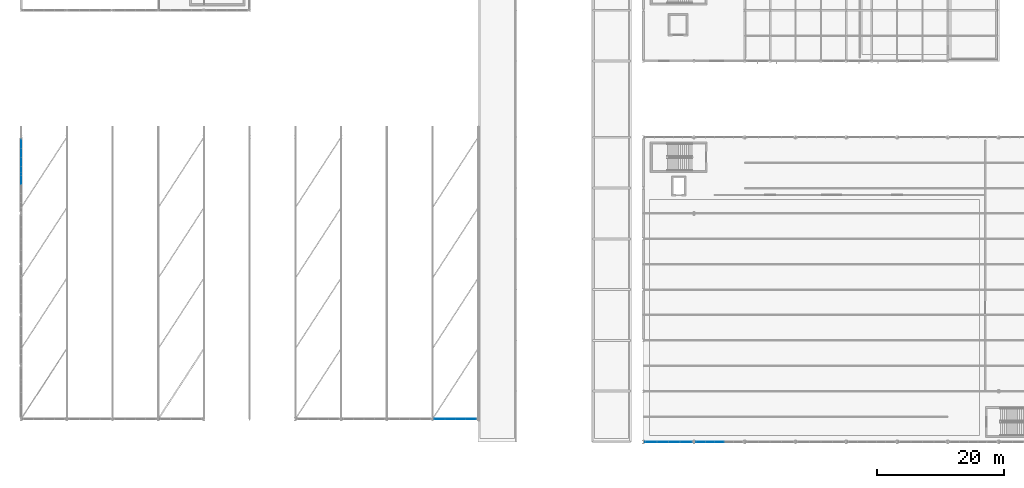
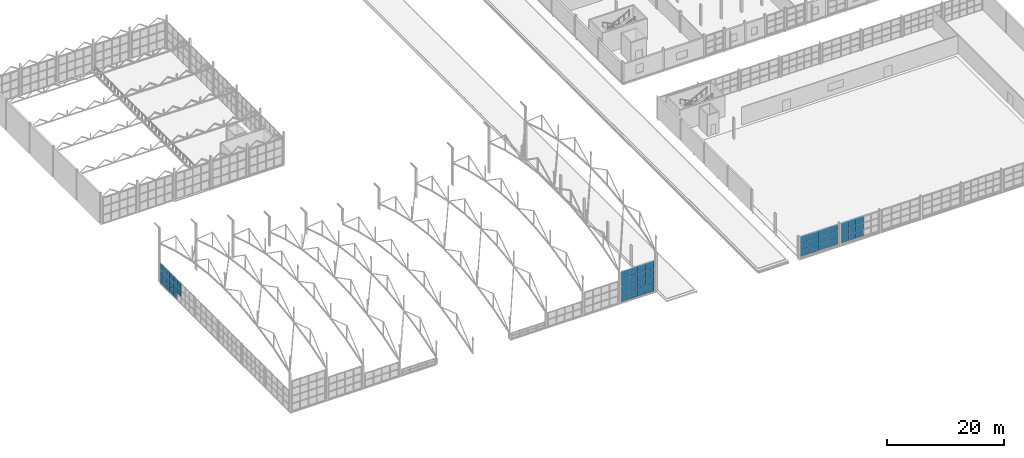
# One storey, part 122 of 153: 51 plates, 4 elements without a shape of their own.
"""IFC4 building model written with IfcOpenShell, lengths in metres."""

from ifc_helpers import new_model, si_unit, derived_unit, direction, frame, origin, origin_2d, place, context, subcontext, project, spatial, rectangle, extrude, material, layer, layer_set, type_object, element, aggregate, save


model = new_model("IFC4")

# Units and contexts
model_context = context("Model", 3, precision=1e-05, world=origin(), true_north=direction((0.0, 1.0)))
body_context = subcontext(model_context, "Body", "Model", "MODEL_VIEW")
ifc_project = project(units=[si_unit("LENGTHUNIT", "METRE"), si_unit("AREAUNIT", "SQUARE_METRE"), si_unit("VOLUMEUNIT", "CUBIC_METRE"), si_unit("PLANEANGLEUNIT", "RADIAN"), si_unit("MASSUNIT", "GRAM", prefix="KILO"), derived_unit("THERMALTRANSMITTANCEUNIT", [(si_unit("POWERUNIT", "WATT"), 1), (si_unit("LENGTHUNIT", "METRE"), -2), (si_unit("THERMODYNAMICTEMPERATUREUNIT", "KELVIN"), -1)])], contexts=[model_context])

# Site, building, storey
site_placement = place(None, origin())
site = spatial("IfcSite", under=ifc_project, at=site_placement, CompositionType="ELEMENT")
building_placement = place(site_placement, origin())
building = spatial("IfcBuilding", under=site, at=building_placement, Name="Keldorne Ridge Multi-Sports Centre", CompositionType="ELEMENT")
storey_placement = place(building_placement, frame((0.0, 0.0, 9.60009765625)))
storey = spatial("IfcBuildingStorey", under=building, at=storey_placement, Name="L02", CompositionType="ELEMENT", Elevation=9.60009765625)

# Curtain wall, plates
ifc_material_1 = material(Name="Anodized aluminium", Category="aluminium")
curtain_wall_type_1 = type_object("IfcCurtainWallType", Name="CW-CW-03", PredefinedType="NOTDEFINED", material=ifc_material_1)
curtain_wall_1_placement = place(storey_placement, origin())
curtain_wall_1 = element("IfcCurtainWall", 1, at=curtain_wall_1_placement, inside=storey, type_object=curtain_wall_type_1, Name="Main Hall south high clerestory 027", PredefinedType="NOTDEFINED")
ifc_material_2 = material(Name="Double low-e insulated glazing", Category="glass")
ifc_layer = layer(ifc_material_2, 0.035888671875)
ifc_layer_set = layer_set([ifc_layer])
plate_type = type_object("IfcPlateType", Name="PLT-GL-01", PredefinedType="CURTAIN_PANEL", material=ifc_layer_set)
plate_1_placement = place(storey_placement, frame((71.955078125, 9.60009765625, 0.02001953125), z_axis=(0.0, 0.0, 1.0), x_axis=(1.0, 0.0, 0.0)))
plate_1 = element("IfcPlate", 2, at=plate_1_placement, type_object=plate_type, Name="CW-027 glazed panel 1.1", PredefinedType="CURTAIN_PANEL", context=body_context, shape_type="SweptSolid", body=[
    extrude(rectangle(XDim=1.590087890625, YDim=0.035888671875, at=origin_2d()), origin(), (0.0, 0.0, 1.0), 1.530029296875),
])
plate_2_placement = place(storey_placement, frame((71.955078125, 9.60009765625, 1.58984375), z_axis=(0.0, 0.0, 1.0), x_axis=(1.0, 0.0, 0.0)))
plate_2 = element("IfcPlate", 3, at=plate_2_placement, type_object=plate_type, Name="CW-027 glazed panel 1.2", PredefinedType="CURTAIN_PANEL", context=body_context, shape_type="SweptSolid", body=[
    extrude(rectangle(XDim=1.590087890625, YDim=0.035888671875, at=origin_2d()), origin(), (0.0, 0.0, 1.0), 1.530029296875),
])
plate_3_placement = place(storey_placement, frame((71.955078125, 9.60009765625, 3.15966796875), z_axis=(0.0, 0.0, 1.0), x_axis=(1.0, 0.0, 0.0)))
plate_3 = element("IfcPlate", 4, at=plate_3_placement, type_object=plate_type, Name="CW-027 glazed panel 1.3", PredefinedType="CURTAIN_PANEL", context=body_context, shape_type="SweptSolid", body=[
    extrude(rectangle(XDim=1.590087890625, YDim=0.035888671875, at=origin_2d()), origin(), (0.0, 0.0, 1.0), 1.530029296875),
])
plate_4_placement = place(storey_placement, frame((71.955078125, 9.60009765625, 4.72998046875), z_axis=(0.0, 0.0, 1.0), x_axis=(1.0, 0.0, 0.0)))
plate_4 = element("IfcPlate", 5, at=plate_4_placement, type_object=plate_type, Name="CW-027 glazed panel 1.4", PredefinedType="CURTAIN_PANEL", context=body_context, shape_type="SweptSolid", body=[
    extrude(rectangle(XDim=1.590087890625, YDim=0.035888671875, at=origin_2d()), origin(), (0.0, 0.0, 1.0), 1.530029296875),
])
plate_5_placement = place(storey_placement, frame((73.5849609375, 9.60009765625, 0.02001953125), z_axis=(0.0, 0.0, 1.0), x_axis=(1.0, 0.0, 0.0)))
plate_5 = element("IfcPlate", 6, at=plate_5_placement, type_object=plate_type, Name="CW-027 glazed panel 2.1", PredefinedType="CURTAIN_PANEL", context=body_context, shape_type="SweptSolid", body=[
    extrude(rectangle(XDim=1.590087890625, YDim=0.035888671875, at=origin_2d()), origin(), (0.0, 0.0, 1.0), 1.530029296875),
])
plate_6_placement = place(storey_placement, frame((73.5849609375, 9.60009765625, 1.58984375), z_axis=(0.0, 0.0, 1.0), x_axis=(1.0, 0.0, 0.0)))
plate_6 = element("IfcPlate", 7, at=plate_6_placement, type_object=plate_type, Name="CW-027 glazed panel 2.2", PredefinedType="CURTAIN_PANEL", context=body_context, shape_type="SweptSolid", body=[
    extrude(rectangle(XDim=1.590087890625, YDim=0.035888671875, at=origin_2d()), origin(), (0.0, 0.0, 1.0), 1.530029296875),
])
plate_7_placement = place(storey_placement, frame((73.5849609375, 9.60009765625, 3.15966796875), z_axis=(0.0, 0.0, 1.0), x_axis=(1.0, 0.0, 0.0)))
plate_7 = element("IfcPlate", 8, at=plate_7_placement, type_object=plate_type, Name="CW-027 glazed panel 2.3", PredefinedType="CURTAIN_PANEL", context=body_context, shape_type="SweptSolid", body=[
    extrude(rectangle(XDim=1.590087890625, YDim=0.035888671875, at=origin_2d()), origin(), (0.0, 0.0, 1.0), 1.530029296875),
])
plate_8_placement = place(storey_placement, frame((73.5849609375, 9.60009765625, 4.72998046875), z_axis=(0.0, 0.0, 1.0), x_axis=(1.0, 0.0, 0.0)))
plate_8 = element("IfcPlate", 9, at=plate_8_placement, type_object=plate_type, Name="CW-027 glazed panel 2.4", PredefinedType="CURTAIN_PANEL", context=body_context, shape_type="SweptSolid", body=[
    extrude(rectangle(XDim=1.590087890625, YDim=0.035888671875, at=origin_2d()), origin(), (0.0, 0.0, 1.0), 1.530029296875),
])
plate_9_placement = place(storey_placement, frame((75.215087890625, 9.60009765625, 0.02001953125), z_axis=(0.0, 0.0, 1.0), x_axis=(1.0, 0.0, 0.0)))
plate_9 = element("IfcPlate", 10, at=plate_9_placement, type_object=plate_type, Name="CW-027 glazed panel 3.1", PredefinedType="CURTAIN_PANEL", context=body_context, shape_type="SweptSolid", body=[
    extrude(rectangle(XDim=1.590087890625, YDim=0.035888671875, at=origin_2d()), origin(), (0.0, 0.0, 1.0), 1.530029296875),
])
plate_10_placement = place(storey_placement, frame((75.215087890625, 9.60009765625, 1.58984375), z_axis=(0.0, 0.0, 1.0), x_axis=(1.0, 0.0, 0.0)))
plate_10 = element("IfcPlate", 11, at=plate_10_placement, type_object=plate_type, Name="CW-027 glazed panel 3.2", PredefinedType="CURTAIN_PANEL", context=body_context, shape_type="SweptSolid", body=[
    extrude(rectangle(XDim=1.590087890625, YDim=0.035888671875, at=origin_2d()), origin(), (0.0, 0.0, 1.0), 1.530029296875),
])
plate_11_placement = place(storey_placement, frame((75.215087890625, 9.60009765625, 3.15966796875), z_axis=(0.0, 0.0, 1.0), x_axis=(1.0, 0.0, 0.0)))
plate_11 = element("IfcPlate", 12, at=plate_11_placement, type_object=plate_type, Name="CW-027 glazed panel 3.3", PredefinedType="CURTAIN_PANEL", context=body_context, shape_type="SweptSolid", body=[
    extrude(rectangle(XDim=1.590087890625, YDim=0.035888671875, at=origin_2d()), origin(), (0.0, 0.0, 1.0), 1.530029296875),
])
plate_12_placement = place(storey_placement, frame((75.215087890625, 9.60009765625, 4.72998046875), z_axis=(0.0, 0.0, 1.0), x_axis=(1.0, 0.0, 0.0)))
plate_12 = element("IfcPlate", 13, at=plate_12_placement, type_object=plate_type, Name="CW-027 glazed panel 3.4", PredefinedType="CURTAIN_PANEL", context=body_context, shape_type="SweptSolid", body=[
    extrude(rectangle(XDim=1.590087890625, YDim=0.035888671875, at=origin_2d()), origin(), (0.0, 0.0, 1.0), 1.530029296875),
])
plate_13_placement = place(storey_placement, frame((76.844970703125, 9.60009765625, 0.02001953125), z_axis=(0.0, 0.0, 1.0), x_axis=(1.0, 0.0, 0.0)))
plate_13 = element("IfcPlate", 14, at=plate_13_placement, type_object=plate_type, Name="CW-027 glazed panel 4.1", PredefinedType="CURTAIN_PANEL", context=body_context, shape_type="SweptSolid", body=[
    extrude(rectangle(XDim=1.590087890625, YDim=0.035888671875, at=origin_2d()), origin(), (0.0, 0.0, 1.0), 1.530029296875),
])
plate_14_placement = place(storey_placement, frame((76.844970703125, 9.60009765625, 1.58984375), z_axis=(0.0, 0.0, 1.0), x_axis=(1.0, 0.0, 0.0)))
plate_14 = element("IfcPlate", 15, at=plate_14_placement, type_object=plate_type, Name="CW-027 glazed panel 4.2", PredefinedType="CURTAIN_PANEL", context=body_context, shape_type="SweptSolid", body=[
    extrude(rectangle(XDim=1.590087890625, YDim=0.035888671875, at=origin_2d()), origin(), (0.0, 0.0, 1.0), 1.530029296875),
])
plate_15_placement = place(storey_placement, frame((76.844970703125, 9.60009765625, 3.15966796875), z_axis=(0.0, 0.0, 1.0), x_axis=(1.0, 0.0, 0.0)))
plate_15 = element("IfcPlate", 16, at=plate_15_placement, type_object=plate_type, Name="CW-027 glazed panel 4.3", PredefinedType="CURTAIN_PANEL", context=body_context, shape_type="SweptSolid", body=[
    extrude(rectangle(XDim=1.590087890625, YDim=0.035888671875, at=origin_2d()), origin(), (0.0, 0.0, 1.0), 1.530029296875),
])
plate_16_placement = place(storey_placement, frame((76.844970703125, 9.60009765625, 4.72998046875), z_axis=(0.0, 0.0, 1.0), x_axis=(1.0, 0.0, 0.0)))
plate_16 = element("IfcPlate", 17, at=plate_16_placement, type_object=plate_type, Name="CW-027 glazed panel 4.4", PredefinedType="CURTAIN_PANEL", context=body_context, shape_type="SweptSolid", body=[
    extrude(rectangle(XDim=1.590087890625, YDim=0.035888671875, at=origin_2d()), origin(), (0.0, 0.0, 1.0), 1.530029296875),
])
aggregate(curtain_wall_1, [plate_1, plate_2, plate_3, plate_4, plate_5, plate_6, plate_7, plate_8, plate_9, plate_10, plate_11, plate_12, plate_13, plate_14, plate_15, plate_16])

curtain_wall_type_2 = type_object("IfcCurtainWallType", Name="CW-CW-01", PredefinedType="NOTDEFINED", material=ifc_material_1)
curtain_wall_2_placement = place(storey_placement, origin())
curtain_wall_2 = element("IfcCurtainWall", 18, at=curtain_wall_2_placement, inside=storey, type_object=curtain_wall_type_2, Name="Main Hall west high gable glazing 033", PredefinedType="NOTDEFINED")
plate_17_placement = place(storey_placement, frame((6.0, 52.952392578125, 0.02001953125), z_axis=(0.0, 0.0, 1.0), x_axis=(0.0, -1.0, 0.0)))
plate_17 = element("IfcPlate", 19, at=plate_17_placement, type_object=plate_type, Name="CW-033 glazed panel 1.1", PredefinedType="CURTAIN_PANEL", context=body_context, shape_type="SweptSolid", body=[
    extrude(rectangle(XDim=1.375, YDim=0.035888671875, at=origin_2d()), origin(), (0.0, 0.0, 1.0), 1.360107421875),
])
plate_18_placement = place(storey_placement, frame((6.0, 52.952392578125, 1.419921875), z_axis=(0.0, 0.0, 1.0), x_axis=(0.0, -1.0, 0.0)))
plate_18 = element("IfcPlate", 20, at=plate_18_placement, type_object=plate_type, Name="CW-033 glazed panel 1.2", PredefinedType="CURTAIN_PANEL", context=body_context, shape_type="SweptSolid", body=[
    extrude(rectangle(XDim=1.375, YDim=0.035888671875, at=origin_2d()), origin(), (0.0, 0.0, 1.0), 1.360107421875),
])
plate_19_placement = place(storey_placement, frame((6.0, 52.952392578125, 2.81982421875), z_axis=(0.0, 0.0, 1.0), x_axis=(0.0, -1.0, 0.0)))
plate_19 = element("IfcPlate", 21, at=plate_19_placement, type_object=plate_type, Name="CW-033 glazed panel 1.3", PredefinedType="CURTAIN_PANEL", context=body_context, shape_type="SweptSolid", body=[
    extrude(rectangle(XDim=1.375, YDim=0.035888671875, at=origin_2d()), origin(), (0.0, 0.0, 1.0), 1.360107421875),
])
plate_20_placement = place(storey_placement, frame((6.0, 51.53759765625, 0.02001953125), z_axis=(0.0, 0.0, 1.0), x_axis=(0.0, -1.0, 0.0)))
plate_20 = element("IfcPlate", 22, at=plate_20_placement, type_object=plate_type, Name="CW-033 glazed panel 2.1", PredefinedType="CURTAIN_PANEL", context=body_context, shape_type="SweptSolid", body=[
    extrude(rectangle(XDim=1.375, YDim=0.035888671875, at=origin_2d()), origin(), (0.0, 0.0, 1.0), 1.360107421875),
])
plate_21_placement = place(storey_placement, frame((6.0, 51.53759765625, 1.419921875), z_axis=(0.0, 0.0, 1.0), x_axis=(0.0, -1.0, 0.0)))
plate_21 = element("IfcPlate", 23, at=plate_21_placement, type_object=plate_type, Name="CW-033 glazed panel 2.2", PredefinedType="CURTAIN_PANEL", context=body_context, shape_type="SweptSolid", body=[
    extrude(rectangle(XDim=1.375, YDim=0.035888671875, at=origin_2d()), origin(), (0.0, 0.0, 1.0), 1.360107421875),
])
plate_22_placement = place(storey_placement, frame((6.0, 51.53759765625, 2.81982421875), z_axis=(0.0, 0.0, 1.0), x_axis=(0.0, -1.0, 0.0)))
plate_22 = element("IfcPlate", 24, at=plate_22_placement, type_object=plate_type, Name="CW-033 glazed panel 2.3", PredefinedType="CURTAIN_PANEL", context=body_context, shape_type="SweptSolid", body=[
    extrude(rectangle(XDim=1.375, YDim=0.035888671875, at=origin_2d()), origin(), (0.0, 0.0, 1.0), 1.360107421875),
])
plate_23_placement = place(storey_placement, frame((6.0, 50.12255859375, 0.02001953125), z_axis=(0.0, 0.0, 1.0), x_axis=(0.0, -1.0, 0.0)))
plate_23 = element("IfcPlate", 25, at=plate_23_placement, type_object=plate_type, Name="CW-033 glazed panel 3.1", PredefinedType="CURTAIN_PANEL", context=body_context, shape_type="SweptSolid", body=[
    extrude(rectangle(XDim=1.375, YDim=0.035888671875, at=origin_2d()), origin(), (0.0, 0.0, 1.0), 1.360107421875),
])
plate_24_placement = place(storey_placement, frame((6.0, 50.12255859375, 1.419921875), z_axis=(0.0, 0.0, 1.0), x_axis=(0.0, -1.0, 0.0)))
plate_24 = element("IfcPlate", 26, at=plate_24_placement, type_object=plate_type, Name="CW-033 glazed panel 3.2", PredefinedType="CURTAIN_PANEL", context=body_context, shape_type="SweptSolid", body=[
    extrude(rectangle(XDim=1.375, YDim=0.035888671875, at=origin_2d()), origin(), (0.0, 0.0, 1.0), 1.360107421875),
])
plate_25_placement = place(storey_placement, frame((6.0, 50.12255859375, 2.81982421875), z_axis=(0.0, 0.0, 1.0), x_axis=(0.0, -1.0, 0.0)))
plate_25 = element("IfcPlate", 27, at=plate_25_placement, type_object=plate_type, Name="CW-033 glazed panel 3.3", PredefinedType="CURTAIN_PANEL", context=body_context, shape_type="SweptSolid", body=[
    extrude(rectangle(XDim=1.375, YDim=0.035888671875, at=origin_2d()), origin(), (0.0, 0.0, 1.0), 1.360107421875),
])
plate_26_placement = place(storey_placement, frame((6.0, 48.70751953125, 0.02001953125), z_axis=(0.0, 0.0, 1.0), x_axis=(0.0, -1.0, 0.0)))
plate_26 = element("IfcPlate", 28, at=plate_26_placement, type_object=plate_type, Name="CW-033 glazed panel 4.1", PredefinedType="CURTAIN_PANEL", context=body_context, shape_type="SweptSolid", body=[
    extrude(rectangle(XDim=1.375, YDim=0.035888671875, at=origin_2d()), origin(), (0.0, 0.0, 1.0), 1.360107421875),
])
plate_27_placement = place(storey_placement, frame((6.0, 48.70751953125, 1.419921875), z_axis=(0.0, 0.0, 1.0), x_axis=(0.0, -1.0, 0.0)))
plate_27 = element("IfcPlate", 29, at=plate_27_placement, type_object=plate_type, Name="CW-033 glazed panel 4.2", PredefinedType="CURTAIN_PANEL", context=body_context, shape_type="SweptSolid", body=[
    extrude(rectangle(XDim=1.375, YDim=0.035888671875, at=origin_2d()), origin(), (0.0, 0.0, 1.0), 1.360107421875),
])
plate_28_placement = place(storey_placement, frame((6.0, 48.70751953125, 2.81982421875), z_axis=(0.0, 0.0, 1.0), x_axis=(0.0, -1.0, 0.0)))
plate_28 = element("IfcPlate", 30, at=plate_28_placement, type_object=plate_type, Name="CW-033 glazed panel 4.3", PredefinedType="CURTAIN_PANEL", context=body_context, shape_type="SweptSolid", body=[
    extrude(rectangle(XDim=1.375, YDim=0.035888671875, at=origin_2d()), origin(), (0.0, 0.0, 1.0), 1.360107421875),
])
plate_29_placement = place(storey_placement, frame((6.0, 47.29248046875, 1.419921875), z_axis=(0.0, 0.0, 1.0), x_axis=(0.0, -1.0, 0.0)))
plate_29 = element("IfcPlate", 31, at=plate_29_placement, type_object=plate_type, Name="CW-033 glazed panel 5.2", PredefinedType="CURTAIN_PANEL", context=body_context, shape_type="SweptSolid", body=[
    extrude(rectangle(XDim=1.375, YDim=0.035888671875, at=origin_2d()), origin(), (0.0, 0.0, 1.0), 1.360107421875),
])
plate_30_placement = place(storey_placement, frame((6.0, 47.29248046875, 2.81982421875), z_axis=(0.0, 0.0, 1.0), x_axis=(0.0, -1.0, 0.0)))
plate_30 = element("IfcPlate", 32, at=plate_30_placement, type_object=plate_type, Name="CW-033 glazed panel 5.3", PredefinedType="CURTAIN_PANEL", context=body_context, shape_type="SweptSolid", body=[
    extrude(rectangle(XDim=1.375, YDim=0.035888671875, at=origin_2d()), origin(), (0.0, 0.0, 1.0), 1.360107421875),
])
aggregate(curtain_wall_2, [plate_17, plate_18, plate_19, plate_20, plate_21, plate_22, plate_23, plate_24, plate_25, plate_26, plate_27, plate_28, plate_29, plate_30])

curtain_wall_type_3 = type_object("IfcCurtainWallType", Name="CW-CW-08", PredefinedType="NOTDEFINED", material=ifc_material_1)
curtain_wall_3_placement = place(storey_placement, origin())
curtain_wall_3 = element("IfcCurtainWall", 33, at=curtain_wall_3_placement, inside=storey, type_object=curtain_wall_type_3, Name="Upper Courts south curtain wall 088", PredefinedType="NOTDEFINED")
plate_31_placement = place(storey_placement, frame((105.2548828125, 6.0, 0.019775390625), z_axis=(0.0, 0.0, 1.0), x_axis=(1.0, 0.0, 0.0)))
plate_31 = element("IfcPlate", 34, at=plate_31_placement, type_object=plate_type, Name="CW-088 glazed panel 1.1", PredefinedType="CURTAIN_PANEL", context=body_context, shape_type="SweptSolid", body=[
    extrude(rectangle(XDim=1.7900390625, YDim=0.035888671875, at=origin_2d()), origin(), (0.0, 0.0, 1.0), 1.32666015625),
])
plate_32_placement = place(storey_placement, frame((105.2548828125, 6.0, 1.386474609375), z_axis=(0.0, 0.0, 1.0), x_axis=(1.0, 0.0, 0.0)))
plate_32 = element("IfcPlate", 35, at=plate_32_placement, type_object=plate_type, Name="CW-088 glazed panel 1.2", PredefinedType="CURTAIN_PANEL", context=body_context, shape_type="SweptSolid", body=[
    extrude(rectangle(XDim=1.7900390625, YDim=0.035888671875, at=origin_2d()), origin(), (0.0, 0.0, 1.0), 1.32666015625),
])
plate_33_placement = place(storey_placement, frame((105.2548828125, 6.0, 2.753173828125), z_axis=(0.0, 0.0, 1.0), x_axis=(1.0, 0.0, 0.0)))
plate_33 = element("IfcPlate", 36, at=plate_33_placement, type_object=plate_type, Name="CW-088 glazed panel 1.3", PredefinedType="CURTAIN_PANEL", context=body_context, shape_type="SweptSolid", body=[
    extrude(rectangle(XDim=1.7900390625, YDim=0.035888671875, at=origin_2d()), origin(), (0.0, 0.0, 1.0), 1.32666015625),
])
plate_34_placement = place(storey_placement, frame((107.0849609375, 6.0, 0.019775390625), z_axis=(0.0, 0.0, 1.0), x_axis=(1.0, 0.0, 0.0)))
plate_34 = element("IfcPlate", 37, at=plate_34_placement, type_object=plate_type, Name="CW-088 glazed panel 2.1", PredefinedType="CURTAIN_PANEL", context=body_context, shape_type="SweptSolid", body=[
    extrude(rectangle(XDim=1.7900390625, YDim=0.035888671875, at=origin_2d()), origin(), (0.0, 0.0, 1.0), 1.32666015625),
])
plate_35_placement = place(storey_placement, frame((107.0849609375, 6.0, 1.386474609375), z_axis=(0.0, 0.0, 1.0), x_axis=(1.0, 0.0, 0.0)))
plate_35 = element("IfcPlate", 38, at=plate_35_placement, type_object=plate_type, Name="CW-088 glazed panel 2.2", PredefinedType="CURTAIN_PANEL", context=body_context, shape_type="SweptSolid", body=[
    extrude(rectangle(XDim=1.7900390625, YDim=0.035888671875, at=origin_2d()), origin(), (0.0, 0.0, 1.0), 1.32666015625),
])
plate_36_placement = place(storey_placement, frame((107.0849609375, 6.0, 2.753173828125), z_axis=(0.0, 0.0, 1.0), x_axis=(1.0, 0.0, 0.0)))
plate_36 = element("IfcPlate", 39, at=plate_36_placement, type_object=plate_type, Name="CW-088 glazed panel 2.3", PredefinedType="CURTAIN_PANEL", context=body_context, shape_type="SweptSolid", body=[
    extrude(rectangle(XDim=1.7900390625, YDim=0.035888671875, at=origin_2d()), origin(), (0.0, 0.0, 1.0), 1.32666015625),
])
plate_37_placement = place(storey_placement, frame((108.9150390625, 6.0, 0.019775390625), z_axis=(0.0, 0.0, 1.0), x_axis=(1.0, 0.0, 0.0)))
plate_37 = element("IfcPlate", 40, at=plate_37_placement, type_object=plate_type, Name="CW-088 glazed panel 3.1", PredefinedType="CURTAIN_PANEL", context=body_context, shape_type="SweptSolid", body=[
    extrude(rectangle(XDim=1.7900390625, YDim=0.035888671875, at=origin_2d()), origin(), (0.0, 0.0, 1.0), 1.32666015625),
])
plate_38_placement = place(storey_placement, frame((108.9150390625, 6.0, 1.386474609375), z_axis=(0.0, 0.0, 1.0), x_axis=(1.0, 0.0, 0.0)))
plate_38 = element("IfcPlate", 41, at=plate_38_placement, type_object=plate_type, Name="CW-088 glazed panel 3.2", PredefinedType="CURTAIN_PANEL", context=body_context, shape_type="SweptSolid", body=[
    extrude(rectangle(XDim=1.7900390625, YDim=0.035888671875, at=origin_2d()), origin(), (0.0, 0.0, 1.0), 1.32666015625),
])
plate_39_placement = place(storey_placement, frame((108.9150390625, 6.0, 2.753173828125), z_axis=(0.0, 0.0, 1.0), x_axis=(1.0, 0.0, 0.0)))
plate_39 = element("IfcPlate", 42, at=plate_39_placement, type_object=plate_type, Name="CW-088 glazed panel 3.3", PredefinedType="CURTAIN_PANEL", context=body_context, shape_type="SweptSolid", body=[
    extrude(rectangle(XDim=1.7900390625, YDim=0.035888671875, at=origin_2d()), origin(), (0.0, 0.0, 1.0), 1.32666015625),
])
plate_40_placement = place(storey_placement, frame((110.7451171875, 6.0, 0.019775390625), z_axis=(0.0, 0.0, 1.0), x_axis=(1.0, 0.0, 0.0)))
plate_40 = element("IfcPlate", 43, at=plate_40_placement, type_object=plate_type, Name="CW-088 glazed panel 4.1", PredefinedType="CURTAIN_PANEL", context=body_context, shape_type="SweptSolid", body=[
    extrude(rectangle(XDim=1.7900390625, YDim=0.035888671875, at=origin_2d()), origin(), (0.0, 0.0, 1.0), 1.32666015625),
])
plate_41_placement = place(storey_placement, frame((110.7451171875, 6.0, 1.386474609375), z_axis=(0.0, 0.0, 1.0), x_axis=(1.0, 0.0, 0.0)))
plate_41 = element("IfcPlate", 44, at=plate_41_placement, type_object=plate_type, Name="CW-088 glazed panel 4.2", PredefinedType="CURTAIN_PANEL", context=body_context, shape_type="SweptSolid", body=[
    extrude(rectangle(XDim=1.7900390625, YDim=0.035888671875, at=origin_2d()), origin(), (0.0, 0.0, 1.0), 1.32666015625),
])
plate_42_placement = place(storey_placement, frame((110.7451171875, 6.0, 2.753173828125), z_axis=(0.0, 0.0, 1.0), x_axis=(1.0, 0.0, 0.0)))
plate_42 = element("IfcPlate", 45, at=plate_42_placement, type_object=plate_type, Name="CW-088 glazed panel 4.3", PredefinedType="CURTAIN_PANEL", context=body_context, shape_type="SweptSolid", body=[
    extrude(rectangle(XDim=1.7900390625, YDim=0.035888671875, at=origin_2d()), origin(), (0.0, 0.0, 1.0), 1.32666015625),
])
aggregate(curtain_wall_3, [plate_31, plate_32, plate_33, plate_34, plate_35, plate_36, plate_37, plate_38, plate_39, plate_40, plate_41, plate_42])

curtain_wall_type_4 = type_object("IfcCurtainWallType", Name="CW-CW-07", PredefinedType="NOTDEFINED", material=ifc_material_1)
curtain_wall_4_placement = place(storey_placement, origin())
curtain_wall_4 = element("IfcCurtainWall", 46, at=curtain_wall_4_placement, inside=storey, type_object=curtain_wall_type_4, Name="Upper Courts south curtain wall 095", PredefinedType="NOTDEFINED")
plate_43_placement = place(storey_placement, frame((113.072021484375, 6.0, 0.019775390625), z_axis=(0.0, 0.0, 1.0), x_axis=(1.0, 0.0, 0.0)))
plate_43 = element("IfcPlate", 47, at=plate_43_placement, type_object=plate_type, Name="CW-095 glazed panel 1.1", PredefinedType="CURTAIN_PANEL", context=body_context, shape_type="SweptSolid", body=[
    extrude(rectangle(XDim=1.424072265625, YDim=0.035888671875, at=origin_2d()), origin(), (0.0, 0.0, 1.0), 1.32666015625),
])
plate_44_placement = place(storey_placement, frame((113.072021484375, 6.0, 1.386474609375), z_axis=(0.0, 0.0, 1.0), x_axis=(1.0, 0.0, 0.0)))
plate_44 = element("IfcPlate", 48, at=plate_44_placement, type_object=plate_type, Name="CW-095 glazed panel 1.2", PredefinedType="CURTAIN_PANEL", context=body_context, shape_type="SweptSolid", body=[
    extrude(rectangle(XDim=1.424072265625, YDim=0.035888671875, at=origin_2d()), origin(), (0.0, 0.0, 1.0), 1.32666015625),
])
plate_45_placement = place(storey_placement, frame((113.072021484375, 6.0, 2.753173828125), z_axis=(0.0, 0.0, 1.0), x_axis=(1.0, 0.0, 0.0)))
plate_45 = element("IfcPlate", 49, at=plate_45_placement, type_object=plate_type, Name="CW-095 glazed panel 1.3", PredefinedType="CURTAIN_PANEL", context=body_context, shape_type="SweptSolid", body=[
    extrude(rectangle(XDim=1.424072265625, YDim=0.035888671875, at=origin_2d()), origin(), (0.0, 0.0, 1.0), 1.32666015625),
])
plate_46_placement = place(storey_placement, frame((114.535888671875, 6.0, 0.019775390625), z_axis=(0.0, 0.0, 1.0), x_axis=(1.0, 0.0, 0.0)))
plate_46 = element("IfcPlate", 50, at=plate_46_placement, type_object=plate_type, Name="CW-095 glazed panel 2.1", PredefinedType="CURTAIN_PANEL", context=body_context, shape_type="SweptSolid", body=[
    extrude(rectangle(XDim=1.424072265625, YDim=0.035888671875, at=origin_2d()), origin(), (0.0, 0.0, 1.0), 1.32666015625),
])
plate_47_placement = place(storey_placement, frame((114.535888671875, 6.0, 1.386474609375), z_axis=(0.0, 0.0, 1.0), x_axis=(1.0, 0.0, 0.0)))
plate_47 = element("IfcPlate", 51, at=plate_47_placement, type_object=plate_type, Name="CW-095 glazed panel 2.2", PredefinedType="CURTAIN_PANEL", context=body_context, shape_type="SweptSolid", body=[
    extrude(rectangle(XDim=1.424072265625, YDim=0.035888671875, at=origin_2d()), origin(), (0.0, 0.0, 1.0), 1.32666015625),
])
plate_48_placement = place(storey_placement, frame((114.535888671875, 6.0, 2.753173828125), z_axis=(0.0, 0.0, 1.0), x_axis=(1.0, 0.0, 0.0)))
plate_48 = element("IfcPlate", 52, at=plate_48_placement, type_object=plate_type, Name="CW-095 glazed panel 2.3", PredefinedType="CURTAIN_PANEL", context=body_context, shape_type="SweptSolid", body=[
    extrude(rectangle(XDim=1.424072265625, YDim=0.035888671875, at=origin_2d()), origin(), (0.0, 0.0, 1.0), 1.32666015625),
])
plate_49_placement = place(storey_placement, frame((116.0, 6.0, 0.019775390625), z_axis=(0.0, 0.0, 1.0), x_axis=(1.0, 0.0, 0.0)))
plate_49 = element("IfcPlate", 53, at=plate_49_placement, type_object=plate_type, Name="CW-095 glazed panel 3.1", PredefinedType="CURTAIN_PANEL", context=body_context, shape_type="SweptSolid", body=[
    extrude(rectangle(XDim=1.424072265625, YDim=0.035888671875, at=origin_2d()), origin(), (0.0, 0.0, 1.0), 1.32666015625),
])
plate_50_placement = place(storey_placement, frame((116.0, 6.0, 1.386474609375), z_axis=(0.0, 0.0, 1.0), x_axis=(1.0, 0.0, 0.0)))
plate_50 = element("IfcPlate", 54, at=plate_50_placement, type_object=plate_type, Name="CW-095 glazed panel 3.2", PredefinedType="CURTAIN_PANEL", context=body_context, shape_type="SweptSolid", body=[
    extrude(rectangle(XDim=1.424072265625, YDim=0.035888671875, at=origin_2d()), origin(), (0.0, 0.0, 1.0), 1.32666015625),
])
plate_51_placement = place(storey_placement, frame((116.0, 6.0, 2.753173828125), z_axis=(0.0, 0.0, 1.0), x_axis=(1.0, 0.0, 0.0)))
plate_51 = element("IfcPlate", 55, at=plate_51_placement, type_object=plate_type, Name="CW-095 glazed panel 3.3", PredefinedType="CURTAIN_PANEL", context=body_context, shape_type="SweptSolid", body=[
    extrude(rectangle(XDim=1.424072265625, YDim=0.035888671875, at=origin_2d()), origin(), (0.0, 0.0, 1.0), 1.32666015625),
])
aggregate(curtain_wall_4, [plate_43, plate_44, plate_45, plate_46, plate_47, plate_48, plate_49, plate_50, plate_51])

save(model, "model.ifc")
